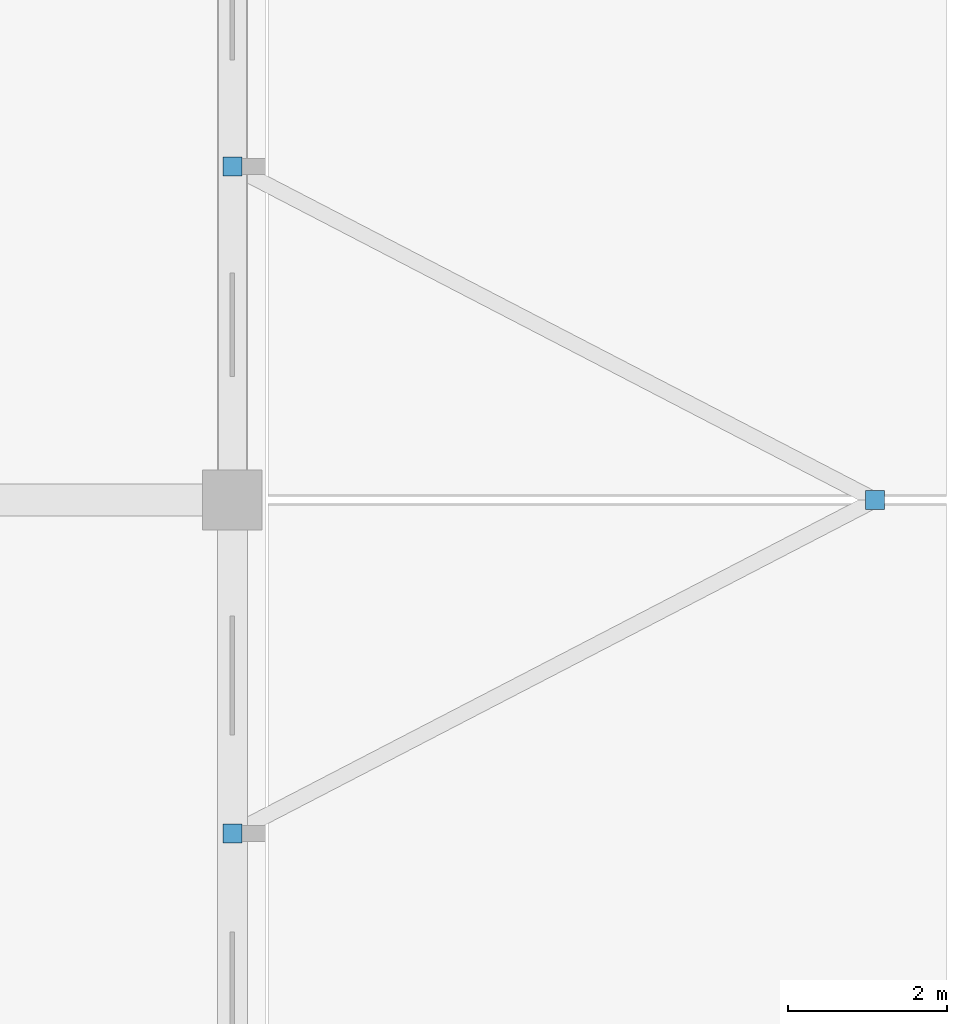
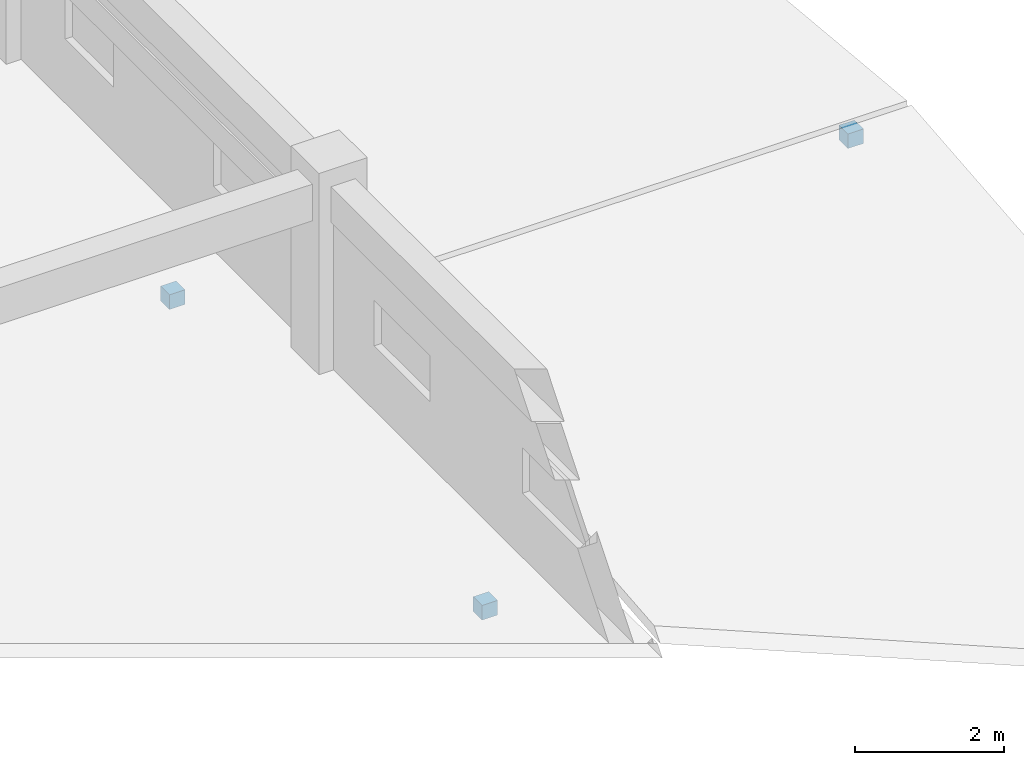
# One storey, part 188 of 200: 3 discrete accessories.
"""IFC4 building model written with IfcOpenShell, lengths in metres."""

from ifc_helpers import new_model, si_unit, direction, frame, origin, origin_2d, place, context, subcontext, project, spatial, rectangle, extrude, material, type_object, element, save


model = new_model("IFC4")

# Units and contexts
model_context = context("Model", 3, precision=1e-05, world=origin(), true_north=direction((0.0, 1.0)))
body_context = subcontext(model_context, "Body", "Model", "MODEL_VIEW")
ifc_project = project(units=[si_unit("LENGTHUNIT", "METRE"), si_unit("AREAUNIT", "SQUARE_METRE"), si_unit("VOLUMEUNIT", "CUBIC_METRE"), si_unit("PLANEANGLEUNIT", "RADIAN"), si_unit("MASSUNIT", "GRAM", prefix="KILO")], contexts=[model_context])

# Site, building, storey
site_placement = place(None, origin())
site = spatial("IfcSite", under=ifc_project, at=site_placement, CompositionType="ELEMENT")
building_placement = place(site_placement, origin())
building = spatial("IfcBuilding", under=site, at=building_placement, Name="Trelvath General Hospital", CompositionType="ELEMENT")
storey_placement = place(building_placement, frame((0.0, 0.0, 4.800048828125)))
storey = spatial("IfcBuildingStorey", under=building, at=storey_placement, Name="L01", CompositionType="ELEMENT", Elevation=4.800048828125)

# Discrete accessories
ifc_material = material(Name="Steel S355", Category="steel")
discrete_accessory_type = type_object("IfcDiscreteAccessoryType", Name="FacadeBracket S355", PredefinedType="BRACKET", material=ifc_material)
for number, where, z_axis, x_axis, name in (
    (1, (184.800048828125, 96.60009765625, -1.72021484375), (0.0, 0.0, 1.0), (1.0, 0.0, 0.0), "Ambulance Canopy Strut Node 17-A"),
    (2, (192.89990234375, 100.800048828125, 0.6298828125), (0.0, 0.0, 1.0), (1.0, 0.0, 0.0), "Ambulance Canopy Strut Node 17-B"),
    (3, (184.800048828125, 105.0, -1.72021484375), (0.0, 0.0, 1.0), (1.0, 0.0, 0.0), "Ambulance Canopy Strut Node 18-A"),
):
    element("IfcDiscreteAccessory", number, at=place(storey_placement, frame(where, z_axis=z_axis, x_axis=x_axis)), inside=storey, type_object=discrete_accessory_type, Name=name, PredefinedType="BRACKET", context=body_context, shape_type="SweptSolid", body=[
        extrude(rectangle(XDim=0.239990234375, YDim=0.239990234375, at=origin_2d()), origin(), (0.0, 0.0, 1.0), 0.239990234375),
    ])

save(model, "model.ifc")
